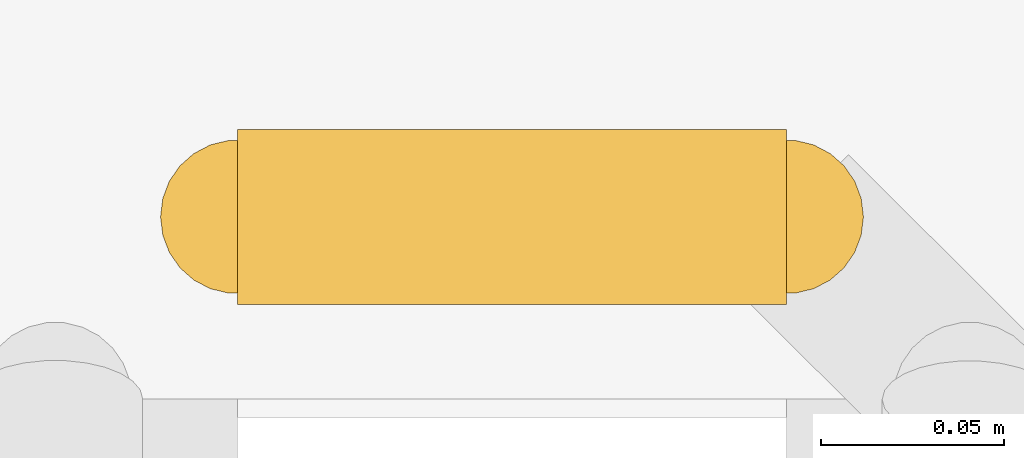
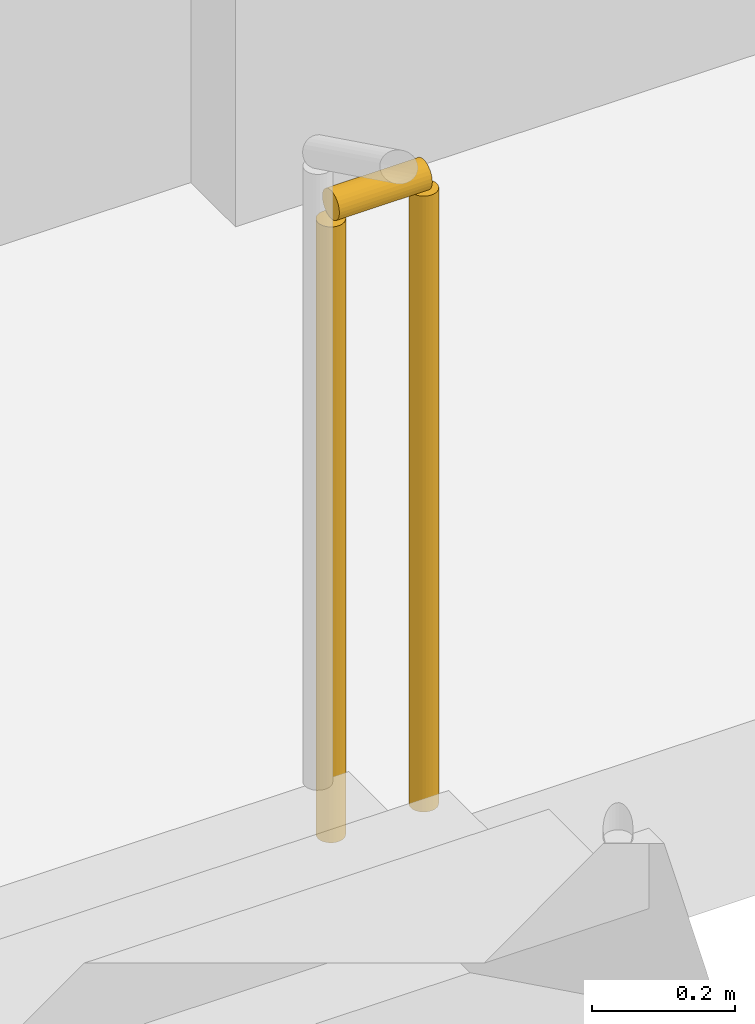
# One storey, part 15 of 20: 1 railing.
"""IFC4 building model written with IfcOpenShell, lengths in metres."""

from ifc_helpers import new_model, si_unit, direction, frame, origin, origin_2d, place, context, subcontext, project, spatial, circle, extrude, material, type_object, element, save


model = new_model("IFC4")

# Units and contexts
model_context = context("Model", 3, precision=1e-05, world=origin(), true_north=direction((0.0, 1.0)))
body_context = subcontext(model_context, "Body", "Model", "MODEL_VIEW")
ifc_project = project(units=[si_unit("LENGTHUNIT", "METRE"), si_unit("AREAUNIT", "SQUARE_METRE"), si_unit("VOLUMEUNIT", "CUBIC_METRE"), si_unit("PLANEANGLEUNIT", "RADIAN"), si_unit("MASSUNIT", "GRAM", prefix="KILO")], contexts=[model_context])

# Site, building, storey
site_placement = place(None, origin())
site = spatial("IfcSite", under=ifc_project, at=site_placement, CompositionType="ELEMENT")
building_placement = place(site_placement, origin())
building = spatial("IfcBuilding", under=site, at=building_placement, Name="Mopane Tessera Tower", CompositionType="ELEMENT")
storey_placement = place(building_placement, frame((0.0, 0.0, 14.5)))
storey = spatial("IfcBuildingStorey", under=building, at=storey_placement, Name="L02", CompositionType="ELEMENT", Elevation=14.5)

# Railing
ifc_material = material(Name="Powder-coated steel balustrade", Category="steel")
railing_type = type_object("IfcRailingType", Name="Escape stair guard 1100 mm", PredefinedType="GUARDRAIL", material=ifc_material)
railing_placement = place(storey_placement, frame((-12.35009765625, -1.35009765625, 0.0)))
element("IfcRailing", 1, at=railing_placement, inside=storey, type_object=railing_type, Name="L02 ST1 stair guard 5", PredefinedType="GUARDRAIL", context=body_context, shape_type="SweptSolid", body=[
    extrude(circle(Radius=0.02392578125, at=origin_2d()), frame((0.0, 0.0, 1.076171875), z_axis=(1.0, 0.0, 0.0), x_axis=(0.0, 1.0, 0.0)), (0.0, 0.0, 1.0), 0.150146484375),
    extrude(circle(Radius=0.02099609375, at=origin_2d()), origin(), (0.0, 0.0, 1.0), 1.052001953125),
    extrude(circle(Radius=0.02099609375, at=origin_2d()), frame((0.150146484375, 0.0, 0.0)), (0.0, 0.0, 1.0), 1.052001953125),
])

save(model, "model.ifc")
